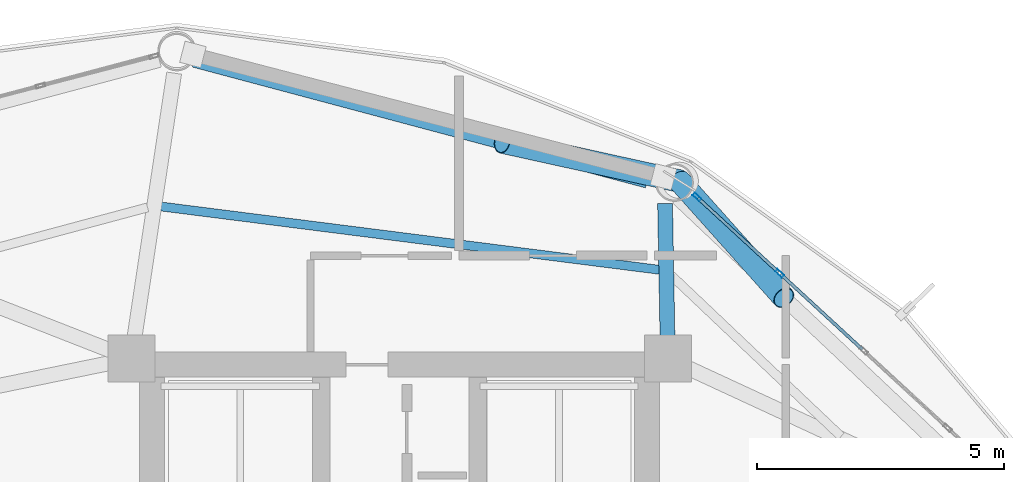
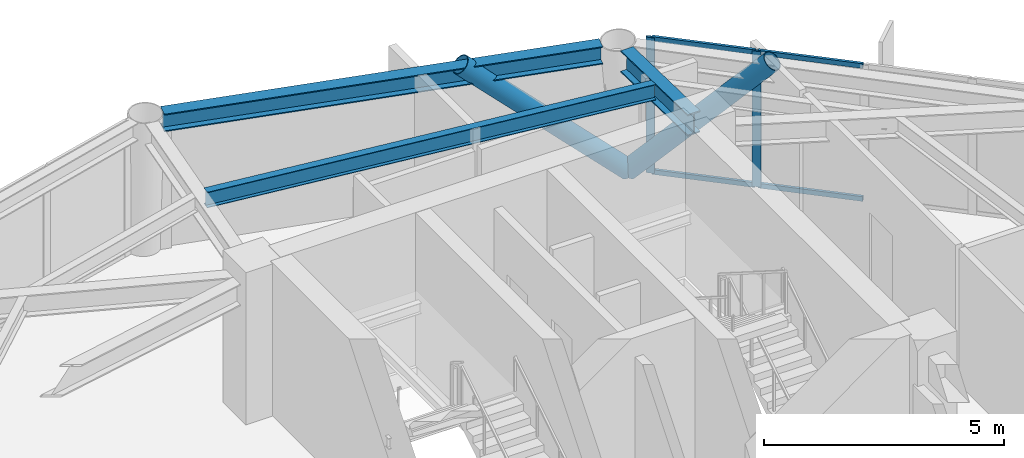
# One storey, part 19 of 26: 8 members, 3 beams, 1 element without a shape of its own.
"""IFC4 building model written with IfcOpenShell, lengths in metres."""

from ifc_helpers import new_model, si_unit, direction, frame, origin, origin_2d, place, context, subcontext, project, spatial, hollow_rectangle, hollow_circle, i_section, extrude, material, layer, layer_set, material_profile, profile_set, type_object, element, aggregate, save


model = new_model("IFC4")

# Units and contexts
model_context = context("Model", 3, precision=1e-05, world=origin(), true_north=direction((0.0, 1.0)))
body_context = subcontext(model_context, "Body", "Model", "MODEL_VIEW")
ifc_project = project(units=[si_unit("LENGTHUNIT", "METRE"), si_unit("AREAUNIT", "SQUARE_METRE"), si_unit("VOLUMEUNIT", "CUBIC_METRE"), si_unit("PLANEANGLEUNIT", "RADIAN"), si_unit("MASSUNIT", "GRAM", prefix="KILO")], contexts=[model_context])

# Site, building, storey
site_placement = place(None, origin())
site = spatial("IfcSite", under=ifc_project, at=site_placement, CompositionType="ELEMENT")
building_placement = place(site_placement, origin())
building = spatial("IfcBuilding", under=site, at=building_placement, Name="Varnakorn Sky Granary", CompositionType="ELEMENT")
storey_placement = place(building_placement, frame((0.0, 0.0, 169.5)))
storey = spatial("IfcBuildingStorey", under=building, at=storey_placement, Name="L42", CompositionType="ELEMENT", Elevation=169.5)

# Beams
ifc_material_1 = material(Name="Steel S355JR", Category="steel")
ifc_material_profile_1 = material_profile(ifc_material_1, i_section(OverallWidth=0.300048828125, OverallDepth=0.550048828125, WebThickness=0.014892578125, FlangeThickness=0.029052734375, at=origin_2d()), Name="HE 550 B")
ifc_profile_set_1 = profile_set([ifc_material_profile_1], Name="Steel S355JR")
beam_type_1 = type_object("IfcBeamType", Name="BM-RAD-Z3", PredefinedType="BEAM", material=ifc_profile_set_1)
beam_1_placement = place(storey_placement, frame((8.41259765625, 13.039794921875, 3.175048828125), z_axis=(-0.017889602022, 0.999839968265, 0.0), x_axis=(-0.999839968265, -0.017889602022, 0.0)))
element("IfcBeam", 1, at=beam_1_placement, inside=storey, type_object=beam_type_1, Name="Radial Floor Girder RG03 L42", PredefinedType="BEAM", context=body_context, shape_type="SweptSolid", body=[
    extrude(i_section(OverallWidth=0.300048828125, OverallDepth=0.550048828125, WebThickness=0.014892578125, FlangeThickness=0.029052734375, at=origin_2d()), origin(), (0.0, 0.0, 1.0), 2.7158203125),
])
ifc_material_profile_2 = material_profile(ifc_material_1, i_section(OverallWidth=0.179931640625, OverallDepth=0.39990234375, WebThickness=0.008544921875, FlangeThickness=0.013427734375, at=origin_2d()), Name="IPE 400")
ifc_profile_set_2 = profile_set([ifc_material_profile_2], Name="Steel S355JR")
beam_type_2 = type_object("IfcBeamType", Name="BM-SEC-Z3", PredefinedType="BEAM", material=ifc_profile_set_2)
beam_2_placement = place(storey_placement, frame((8.24951171875, 14.415283203125, 3.25), z_axis=(-0.992027523844, 0.126021394754, 0.0), x_axis=(-0.126021394754, -0.992027523844, 0.0)))
element("IfcBeam", 2, at=beam_2_placement, inside=storey, type_object=beam_type_2, Name="Secondary Floor Chord Beam MSB03 L42", PredefinedType="BEAM", context=body_context, shape_type="SweptSolid", body=[
    extrude(i_section(OverallWidth=0.179931640625, OverallDepth=0.39990234375, WebThickness=0.008544921875, FlangeThickness=0.013427734375, at=origin_2d()), origin(), (0.0, 0.0, 1.0), 10.1474609375),
])
ifc_material_profile_3 = material_profile(ifc_material_1, i_section(OverallWidth=0.300048828125, OverallDepth=0.449951171875, WebThickness=0.013916015625, FlangeThickness=0.02587890625, at=origin_2d()), Name="HE 450 B")
ifc_profile_set_3 = profile_set([ifc_material_profile_3], Name="Steel S355JR")
beam_type_3 = type_object("IfcBeamType", Name="BM-SPD-Z3", PredefinedType="SPANDREL", material=ifc_profile_set_3)
beam_3_placement = place(storey_placement, frame((8.00390625, 16.21533203125, 3.22509765625), z_axis=(-0.966226381463, 0.257694741438, 0.0), x_axis=(-0.257694741438, -0.966226381463, 0.0)))
element("IfcBeam", 3, at=beam_3_placement, inside=storey, type_object=beam_type_3, Name="Perimeter Spandrel Ring Beam RB03 L42", PredefinedType="SPANDREL", context=body_context, shape_type="SweptSolid", body=[
    extrude(i_section(OverallWidth=0.300048828125, OverallDepth=0.449951171875, WebThickness=0.013916015625, FlangeThickness=0.02587890625, at=origin_2d()), origin(), (0.0, 0.0, 1.0), 9.47021484375),
])

# Curtain wall, members
ifc_material_2 = material(Name="Anodised Bronze Aluminium Alloy 6063-T6", Category="aluminium")
ifc_layer = layer(ifc_material_2, 0.179931640625, Name="Anodised Bronze Aluminium Alloy 6063-T6")
ifc_layer_set = layer_set([ifc_layer], Name="Anodised Bronze Aluminium Alloy 6063-T6")
curtain_wall_type = type_object("IfcCurtainWallType", Name="CW-FRM-2", PredefinedType="USERDEFINED", material=ifc_layer_set)
curtain_wall_placement = place(storey_placement, origin())
curtain_wall = element("IfcCurtainWall", 4, at=curtain_wall_placement, inside=storey, type_object=curtain_wall_type, Name="Unitised Curtain Wall CW4 CW-L42-B02", ObjectType="CURTAIN WALL", PredefinedType="USERDEFINED")
ifc_material_profile_4 = material_profile(ifc_material_2, hollow_rectangle(XDim=0.070068359375, YDim=0.18505859375, WallThickness=0.00390625, at=origin_2d()), Name="ALU MULL 70x185")
ifc_profile_set_4 = profile_set([ifc_material_profile_4], Name="Anodised Bronze Aluminium Alloy 6063-T6")
member_type_1 = type_object("IfcMemberType", Name="CW-FRM-2-MULL", PredefinedType="MULLION", material=ifc_profile_set_4)
member_1_placement = place(storey_placement, frame((9.007568359375, 15.88525390625, 0.0), z_axis=(0.0, 0.0, 1.0), x_axis=(0.677547955322, 0.735478598084, 0.0)))
member_1 = element("IfcMember", 5, at=member_1_placement, type_object=member_type_1, Name="CW4 mullion 1", PredefinedType="MULLION", context=body_context, shape_type="SweptSolid", body=[
    extrude(hollow_rectangle(XDim=0.070068359375, YDim=0.18505859375, WallThickness=0.00390625, at=origin_2d()), origin(), (0.0, 0.0, 1.0), 3.449951171875),
])
member_2_placement = place(storey_placement, frame((10.6787109375, 14.345703125, 0.0), z_axis=(0.0, 0.0, 1.0), x_axis=(0.677547955322, 0.735478598084, 0.0)))
member_2 = element("IfcMember", 6, at=member_2_placement, type_object=member_type_1, Name="CW4 mullion 2", PredefinedType="MULLION", context=body_context, shape_type="SweptSolid", body=[
    extrude(hollow_rectangle(XDim=0.070068359375, YDim=0.18505859375, WallThickness=0.00390625, at=origin_2d()), origin(), (0.0, 0.0, 1.0), 3.449951171875),
])
ifc_material_profile_5 = material_profile(ifc_material_2, hollow_rectangle(XDim=0.06494140625, YDim=0.1201171875, WallThickness=0.00341796875, at=origin_2d()), Name="ALU TRAN 65x120")
ifc_profile_set_5 = profile_set([ifc_material_profile_5], Name="Anodised Bronze Aluminium Alloy 6063-T6")
member_type_2 = type_object("IfcMemberType", Name="CW-FRM-2-TRAN", PredefinedType="USERDEFINED", material=ifc_profile_set_5)
member_3_placement = place(storey_placement, frame((9.033203125, 15.861572265625, 0.032470703125), z_axis=(0.735449148752, -0.67757992119, 0.0), x_axis=(0.67757992119, 0.735449148752, 0.0)))
member_3 = element("IfcMember", 7, at=member_3_placement, type_object=member_type_2, Name="CW4 transom 1.1", ObjectType="TRANSOM", PredefinedType="USERDEFINED", context=body_context, shape_type="SweptSolid", body=[
    extrude(hollow_rectangle(XDim=0.06494140625, YDim=0.1201171875, WallThickness=0.00341796875, at=origin_2d()), origin(), (0.0, 0.0, 1.0), 2.2021484375),
])
member_4_placement = place(storey_placement, frame((9.033203125, 15.861572265625, 3.41748046875), z_axis=(0.735449148752, -0.67757992119, 0.0), x_axis=(0.67757992119, 0.735449148752, 0.0)))
member_4 = element("IfcMember", 8, at=member_4_placement, type_object=member_type_2, Name="CW4 transom 1.2", ObjectType="TRANSOM", PredefinedType="USERDEFINED", context=body_context, shape_type="SweptSolid", body=[
    extrude(hollow_rectangle(XDim=0.06494140625, YDim=0.1201171875, WallThickness=0.00341796875, at=origin_2d()), origin(), (0.0, 0.0, 1.0), 2.2021484375),
])
member_5_placement = place(storey_placement, frame((10.704345703125, 14.322021484375, 0.032470703125), z_axis=(0.735489285858, -0.677536353555, 0.0), x_axis=(0.677536353555, 0.735489285858, 0.0)))
member_5 = element("IfcMember", 9, at=member_5_placement, type_object=member_type_2, Name="CW4 transom 2.1", ObjectType="TRANSOM", PredefinedType="USERDEFINED", context=body_context, shape_type="SweptSolid", body=[
    extrude(hollow_rectangle(XDim=0.06494140625, YDim=0.1201171875, WallThickness=0.00341796875, at=origin_2d()), origin(), (0.0, 0.0, 1.0), 2.237060546875),
])
member_6_placement = place(storey_placement, frame((10.704345703125, 14.322021484375, 3.41748046875), z_axis=(0.735489285858, -0.677536353555, 0.0), x_axis=(0.677536353555, 0.735489285858, 0.0)))
member_6 = element("IfcMember", 10, at=member_6_placement, type_object=member_type_2, Name="CW4 transom 2.2", ObjectType="TRANSOM", PredefinedType="USERDEFINED", context=body_context, shape_type="SweptSolid", body=[
    extrude(hollow_rectangle(XDim=0.06494140625, YDim=0.1201171875, WallThickness=0.00341796875, at=origin_2d()), origin(), (0.0, 0.0, 1.0), 2.237060546875),
])
aggregate(curtain_wall, [member_1, member_2, member_3, member_4, member_5, member_6])

# Members
ifc_material_3 = material(Name="Steel S460M", Category="steel")
ifc_material_profile_6 = material_profile(ifc_material_3, hollow_circle(Radius=0.228515625, WallThickness=0.01611328125, at=origin_2d()), Name="CHS 457x16")
ifc_profile_set_6 = profile_set([ifc_material_profile_6], Name="Steel S460M")
member_type_3 = type_object("IfcMemberType", Name="MB-DIAG-T3", PredefinedType="BRACE", material=ifc_profile_set_6)
member_7_placement = place(storey_placement, frame((8.657470703125, 16.207763671875, 0.0), z_axis=(0.449963510676, -0.503913217314, 0.737295265465), x_axis=(0.745907513489, 0.666049533685, 0.0)))
element("IfcMember", 11, at=member_7_placement, inside=storey, type_object=member_type_3, Name="Perimeter CHS Diagrid Brace DG02 L42", PredefinedType="BRACE", context=body_context, shape_type="SweptSolid", body=[
    extrude(hollow_circle(Radius=0.228515625, WallThickness=0.01611328125, at=origin_2d()), origin(), (0.0, 0.0, 1.0), 4.67919921875),
])
member_8_placement = place(storey_placement, frame((8.657470703125, 16.207763671875, 0.0), z_axis=(-0.711711211687, 0.156715058119, 0.684768239419), x_axis=(-0.215043173699, -0.976604543019, 0.0)))
element("IfcMember", 12, at=member_8_placement, inside=storey, type_object=member_type_3, Name="Perimeter CHS Diagrid Brace DG03 L42", PredefinedType="BRACE", context=body_context, shape_type="SweptSolid", body=[
    extrude(hollow_circle(Radius=0.228515625, WallThickness=0.01611328125, at=origin_2d()), origin(), (0.0, 0.0, 1.0), 5.0380859375),
])

save(model, "model.ifc")
